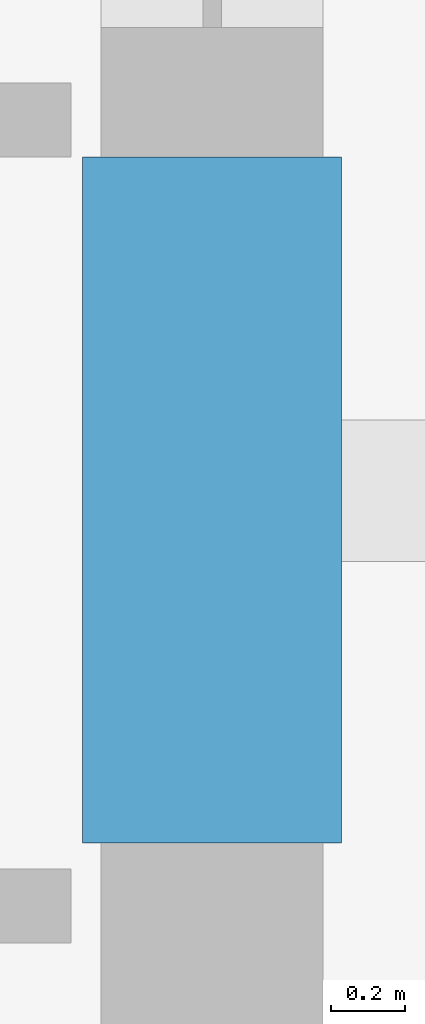
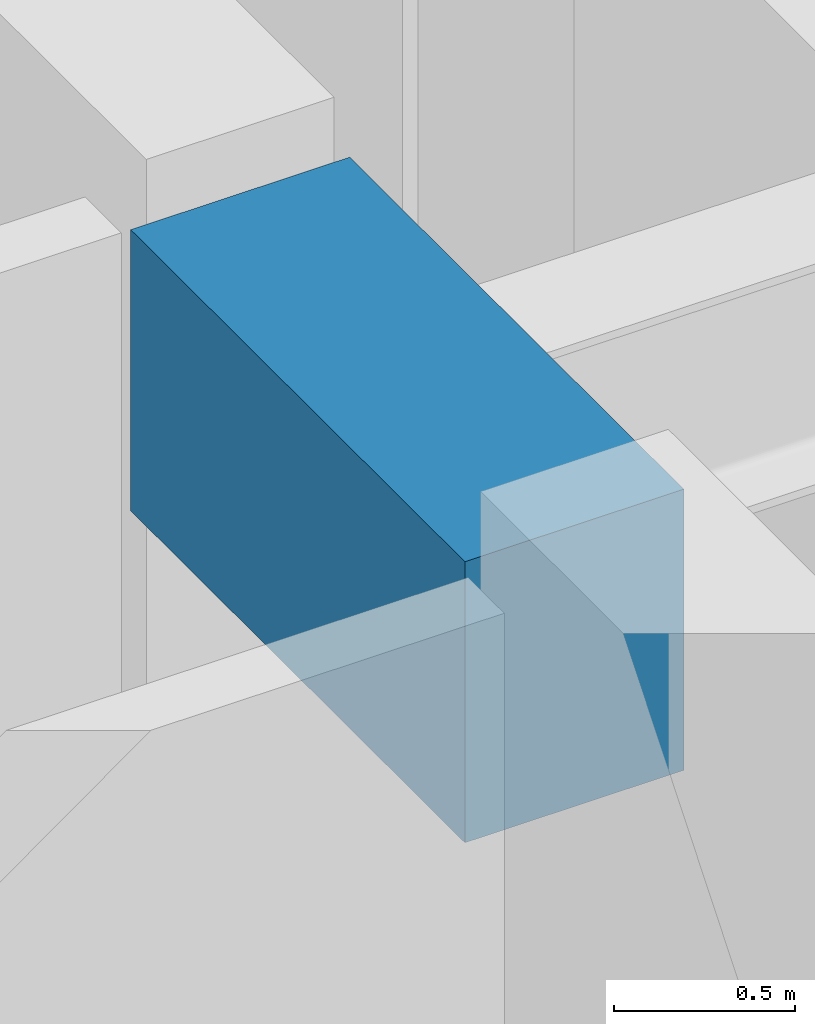
# One storey, part 12 of 38: 1 beam.
"""IFC4 building model written with IfcOpenShell, lengths in metres."""

from ifc_helpers import new_model, si_unit, direction, frame, origin, origin_2d, place, context, subcontext, project, spatial, rectangle, extrude, material, material_profile, profile_set, type_object, element, save


model = new_model("IFC4")

# Units and contexts
model_context = context("Model", 3, precision=1e-05, world=origin(), true_north=direction((0.0, 1.0)))
body_context = subcontext(model_context, "Body", "Model", "MODEL_VIEW")
ifc_project = project(units=[si_unit("LENGTHUNIT", "METRE"), si_unit("AREAUNIT", "SQUARE_METRE"), si_unit("VOLUMEUNIT", "CUBIC_METRE"), si_unit("PLANEANGLEUNIT", "RADIAN"), si_unit("MASSUNIT", "GRAM", prefix="KILO")], contexts=[model_context])

# Site, building, storey
site_placement = place(None, origin())
site = spatial("IfcSite", under=ifc_project, at=site_placement, CompositionType="ELEMENT")
building_placement = place(site_placement, origin())
building = spatial("IfcBuilding", under=site, at=building_placement, Name="Kolvaren Belvedere", CompositionType="ELEMENT")
storey_placement = place(building_placement, frame((0.0, 0.0, 98.60009765625)))
storey = spatial("IfcBuildingStorey", under=building, at=storey_placement, Name="L28", CompositionType="ELEMENT", Elevation=98.60009765625)

# Beam
ifc_material = material(Name="Concrete C60/75", Category="concrete")
ifc_material_profile = material_profile(ifc_material, rectangle(XDim=0.699951171875, YDim=0.949951171875, at=origin_2d()), Name="RC 700X950")
ifc_profile_set = profile_set([ifc_material_profile], Name="Concrete C60/75")
beam_type = type_object("IfcBeamType", Name="BM-LINT-950", PredefinedType="LINTEL", material=ifc_profile_set)
beam_placement = place(storey_placement, frame((9.89990234375, -5.550048828125, 2.60498046875), z_axis=(0.0, 1.0, 0.0), x_axis=(-1.0, 0.0, 0.0)))
element("IfcBeam", 1, at=beam_placement, inside=storey, type_object=beam_type, Name="L28 East Core Coupling Lintel", PredefinedType="LINTEL", context=body_context, shape_type="SweptSolid", body=[
    extrude(rectangle(XDim=0.699951171875, YDim=0.949951171875, at=origin_2d()), origin(), (0.0, 0.0, 1.0), 1.85009765625),
])

save(model, "model.ifc")
